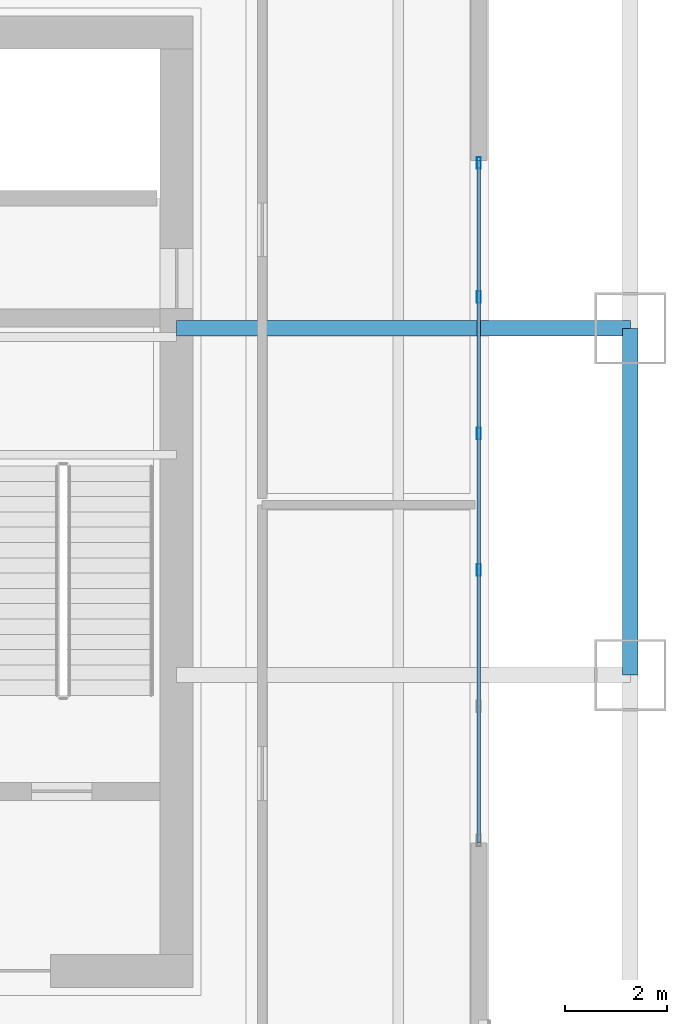
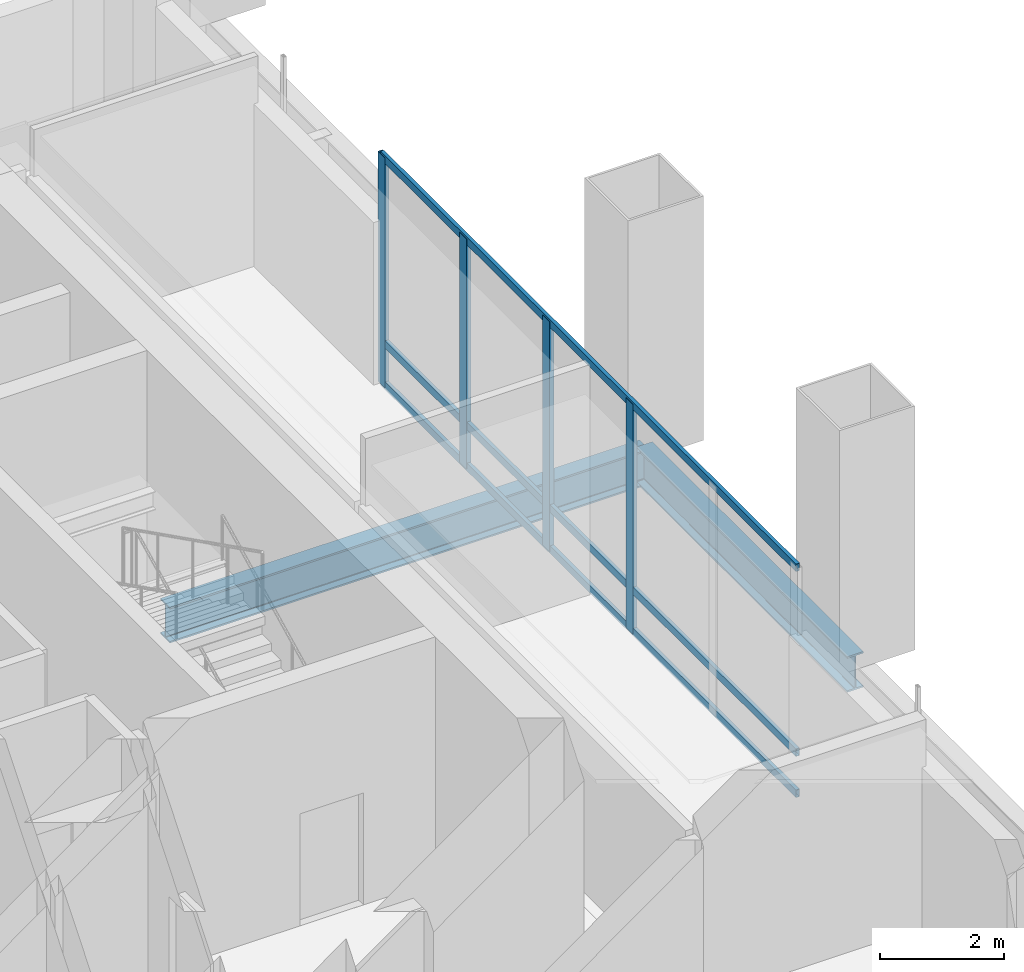
# One storey, part 12 of 30: 7 members, 2 beams, 1 element without a shape of its own.
"""IFC4 building model written with IfcOpenShell, lengths in metres."""

from ifc_helpers import new_model, si_unit, direction, frame, origin, origin_2d, place, context, subcontext, project, spatial, hollow_rectangle, i_section, extrude, material, material_profile, profile_set, type_object, element, aggregate, save


model = new_model("IFC4")

# Units and contexts
model_context = context("Model", 3, precision=1e-05, world=origin(), true_north=direction((0.0, 1.0)))
body_context = subcontext(model_context, "Body", "Model", "MODEL_VIEW")
ifc_project = project(units=[si_unit("LENGTHUNIT", "METRE"), si_unit("AREAUNIT", "SQUARE_METRE"), si_unit("VOLUMEUNIT", "CUBIC_METRE"), si_unit("PLANEANGLEUNIT", "RADIAN"), si_unit("MASSUNIT", "GRAM", prefix="KILO")], contexts=[model_context])

# Site, building, storey
site_placement = place(None, origin())
site = spatial("IfcSite", under=ifc_project, at=site_placement, CompositionType="ELEMENT")
building_placement = place(site_placement, origin())
building = spatial("IfcBuilding", under=site, at=building_placement, Name="Punatoya Terracotta Tower", CompositionType="ELEMENT")
storey_placement = place(building_placement, frame((0.0, 0.0, 135.0)))
storey = spatial("IfcBuildingStorey", under=building, at=storey_placement, Name="L31", CompositionType="ELEMENT", Elevation=135.0)

# Beams
ifc_material_1 = material(Name="Steel S355", Category="steel")
ifc_material_profile_1 = material_profile(ifc_material_1, i_section(OverallWidth=0.300048828125, OverallDepth=0.699951171875, WebThickness=0.01708984375, FlangeThickness=0.031982421875, FilletRadius=0.01806640625, at=origin_2d()))
ifc_profile_set_1 = profile_set([ifc_material_profile_1], Name="Steel S355")
beam_type = type_object("IfcBeamType", Name="BM-PRI-700", PredefinedType="BEAM", material=ifc_profile_set_1)
beam_1_placement = place(storey_placement, frame((19.10009765625, -3.39990234375, -0.610107421875), z_axis=(0.0, 1.0, 0.0), x_axis=(-1.0, 0.0, 0.0)))
element("IfcBeam", 1, at=beam_1_placement, inside=storey, type_object=beam_type, Name="BM-L31-RG-E2", PredefinedType="BEAM", context=body_context, shape_type="SweptSolid", body=[
    extrude(i_section(OverallWidth=0.300048828125, OverallDepth=0.699951171875, WebThickness=0.01708984375, FlangeThickness=0.031982421875, FilletRadius=0.01806640625, at=origin_2d()), origin(), (0.0, 0.0, 1.0), 6.7998046875),
])
beam_2_placement = place(storey_placement, frame((10.199951171875, 3.39990234375, -0.610107421875), z_axis=(1.0, 0.0, 0.0), x_axis=(0.0, 1.0, 0.0)))
element("IfcBeam", 2, at=beam_2_placement, inside=storey, type_object=beam_type, Name="BM-L31-PR-EE", PredefinedType="BEAM", context=body_context, shape_type="SweptSolid", body=[
    extrude(i_section(OverallWidth=0.300048828125, OverallDepth=0.699951171875, WebThickness=0.01708984375, FlangeThickness=0.031982421875, FilletRadius=0.01806640625, at=origin_2d()), origin(), (0.0, 0.0, 1.0), 8.900146484375),
])

# Curtain wall, members
ifc_material_2 = material(Name="Aluminium 6063-T6 + Double Low-E Glass", Category="aluminium")
curtain_wall_type = type_object("IfcCurtainWallType", Name="CW-NCK", PredefinedType="NOTDEFINED", material=ifc_material_2)
curtain_wall_placement = place(storey_placement, origin())
curtain_wall = element("IfcCurtainWall", 3, at=curtain_wall_placement, inside=storey, type_object=curtain_wall_type, Name="L31 Curtain Wall CW-L31-E05-1", PredefinedType="NOTDEFINED")
ifc_material_3 = material(Name="Aluminium 6063-T6", Category="aluminium")
ifc_material_profile_2 = material_profile(ifc_material_3, hollow_rectangle(XDim=0.080078125, YDim=0.22509765625, WallThickness=0.0048828125, at=origin_2d()))
ifc_profile_set_2 = profile_set([ifc_material_profile_2], Name="Aluminium 6063-T6")
member_type_1 = type_object("IfcMemberType", Name="CW-MUL-NCK", PredefinedType="MULLION", material=ifc_profile_set_2)
member_1_placement = place(storey_placement, frame((16.1298828125, -1.337890625, 0.0), z_axis=(0.0, 0.0, 1.0), x_axis=(1.0, 0.0, 0.0)))
member_1 = element("IfcMember", 4, at=member_1_placement, type_object=member_type_1, Name="CW-L31-E05-1 Mullion 02", PredefinedType="MULLION", context=body_context, shape_type="SweptSolid", body=[
    extrude(hollow_rectangle(XDim=0.080078125, YDim=0.22509765625, WallThickness=0.0048828125, at=origin_2d()), origin(), (0.0, 0.0, 1.0), 4.52001953125),
])
member_2_placement = place(storey_placement, frame((16.1298828125, 1.337890625, 0.0), z_axis=(0.0, 0.0, 1.0), x_axis=(1.0, 0.0, 0.0)))
member_2 = element("IfcMember", 5, at=member_2_placement, type_object=member_type_1, Name="CW-L31-E05-1 Mullion 03", PredefinedType="MULLION", context=body_context, shape_type="SweptSolid", body=[
    extrude(hollow_rectangle(XDim=0.080078125, YDim=0.22509765625, WallThickness=0.0048828125, at=origin_2d()), origin(), (0.0, 0.0, 1.0), 4.52001953125),
])
member_3_placement = place(storey_placement, frame((16.1298828125, 4.013916015625, 0.0), z_axis=(0.0, 0.0, 1.0), x_axis=(1.0, 0.0, 0.0)))
member_3 = element("IfcMember", 6, at=member_3_placement, type_object=member_type_1, Name="CW-L31-E05-1 Mullion 04", PredefinedType="MULLION", context=body_context, shape_type="SweptSolid", body=[
    extrude(hollow_rectangle(XDim=0.080078125, YDim=0.22509765625, WallThickness=0.0048828125, at=origin_2d()), origin(), (0.0, 0.0, 1.0), 4.52001953125),
])
member_4_placement = place(storey_placement, frame((16.1298828125, 6.64501953125, 0.0), z_axis=(0.0, 0.0, 1.0), x_axis=(1.0, 0.0, 0.0)))
member_4 = element("IfcMember", 7, at=member_4_placement, type_object=member_type_1, Name="CW-L31-E05-1 Mullion 05", PredefinedType="MULLION", context=body_context, shape_type="SweptSolid", body=[
    extrude(hollow_rectangle(XDim=0.080078125, YDim=0.22509765625, WallThickness=0.0048828125, at=origin_2d()), origin(), (0.0, 0.0, 1.0), 4.52001953125),
])
ifc_material_profile_3 = material_profile(ifc_material_3, hollow_rectangle(XDim=0.068115234375, YDim=0.14990234375, WallThickness=0.00390625, at=origin_2d()))
ifc_profile_set_3 = profile_set([ifc_material_profile_3], Name="Aluminium 6063-T6")
member_type_2 = type_object("IfcMemberType", Name="CW-TRN-TYP", PredefinedType="USERDEFINED", material=ifc_profile_set_3)
member_5_placement = place(storey_placement, frame((16.1298828125, -6.68994140625, 0.0400390625), z_axis=(0.0, 1.0, 0.0), x_axis=(-1.0, 0.0, 0.0)))
member_5 = element("IfcMember", 8, at=member_5_placement, type_object=member_type_2, Name="CW-L31-E05-1 Transom 1", ObjectType="TRANSOM", PredefinedType="USERDEFINED", context=body_context, shape_type="SweptSolid", body=[
    extrude(hollow_rectangle(XDim=0.068115234375, YDim=0.14990234375, WallThickness=0.00390625, at=origin_2d()), origin(), (0.0, 0.0, 1.0), 13.3798828125),
])
member_6_placement = place(storey_placement, frame((16.1298828125, -6.68994140625, 0.85009765625), z_axis=(0.0, 1.0, 0.0), x_axis=(-1.0, 0.0, 0.0)))
member_6 = element("IfcMember", 9, at=member_6_placement, type_object=member_type_2, Name="CW-L31-E05-1 Transom 2", ObjectType="TRANSOM", PredefinedType="USERDEFINED", context=body_context, shape_type="SweptSolid", body=[
    extrude(hollow_rectangle(XDim=0.068115234375, YDim=0.14990234375, WallThickness=0.00390625, at=origin_2d()), origin(), (0.0, 0.0, 1.0), 13.3798828125),
])
member_7_placement = place(storey_placement, frame((16.1298828125, -6.68994140625, 4.47998046875), z_axis=(0.0, 1.0, 0.0), x_axis=(-1.0, 0.0, 0.0)))
member_7 = element("IfcMember", 10, at=member_7_placement, type_object=member_type_2, Name="CW-L31-E05-1 Transom 3", ObjectType="TRANSOM", PredefinedType="USERDEFINED", context=body_context, shape_type="SweptSolid", body=[
    extrude(hollow_rectangle(XDim=0.068115234375, YDim=0.14990234375, WallThickness=0.00390625, at=origin_2d()), origin(), (0.0, 0.0, 1.0), 13.3798828125),
])
aggregate(curtain_wall, [member_1, member_2, member_3, member_4, member_5, member_6, member_7])

save(model, "model.ifc")
